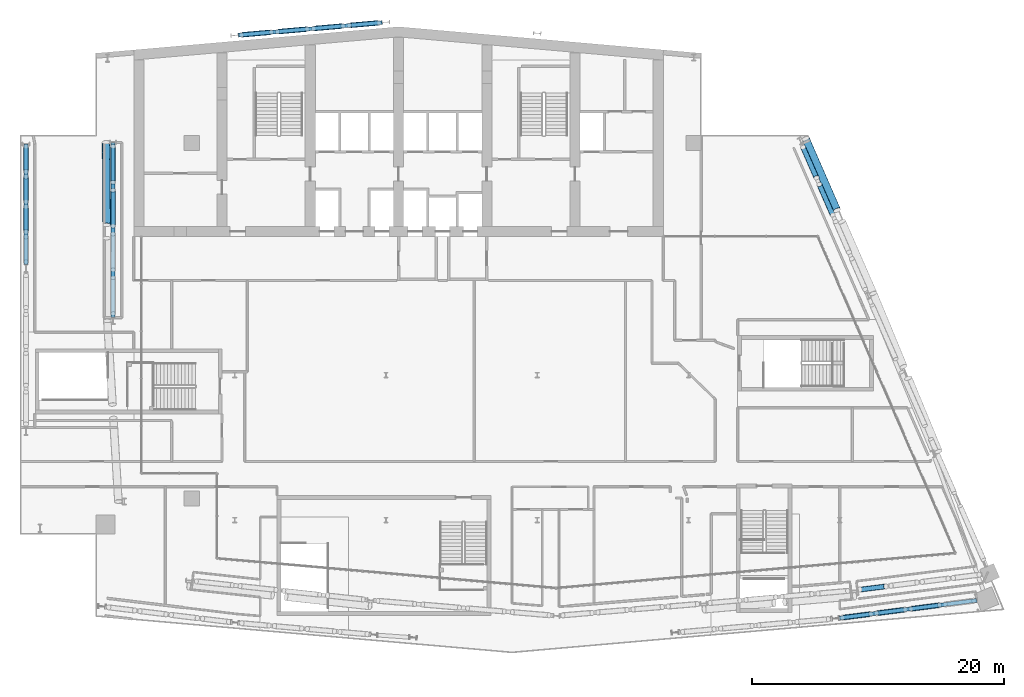
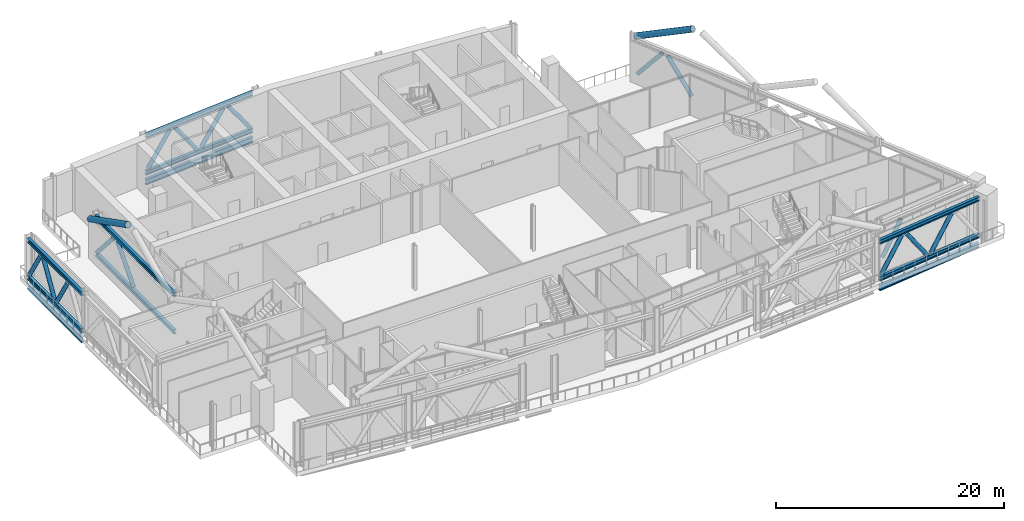
# One storey, part 9 of 35: 25 members, 3 beams.
"""IFC4 building model written with IfcOpenShell, lengths in metres."""

from ifc_helpers import new_model, si_unit, direction, frame, origin, origin_2d, place, context, subcontext, project, spatial, hollow_circle, i_section, extrude, material, material_profile, profile_set, type_object, element, save


model = new_model("IFC4")

# Units and contexts
model_context = context("Model", 3, precision=1e-05, world=origin(), true_north=direction((0.0, 1.0)))
body_context = subcontext(model_context, "Body", "Model", "MODEL_VIEW")
ifc_project = project(units=[si_unit("LENGTHUNIT", "METRE"), si_unit("AREAUNIT", "SQUARE_METRE"), si_unit("VOLUMEUNIT", "CUBIC_METRE"), si_unit("PLANEANGLEUNIT", "RADIAN"), si_unit("MASSUNIT", "GRAM", prefix="KILO")], contexts=[model_context])

# Site, building, storey
site_placement = place(None, origin())
site = spatial("IfcSite", under=ifc_project, at=site_placement, CompositionType="ELEMENT")
building_placement = place(site_placement, origin())
building = spatial("IfcBuilding", under=site, at=building_placement, Name="Wharfspan Tower", CompositionType="ELEMENT")
storey_placement = place(building_placement, frame((0.0, 0.0, 202.300049)))
storey = spatial("IfcBuildingStorey", under=building, at=storey_placement, Name="L50", CompositionType="ELEMENT", Elevation=202.300049)

# Beams
ifc_material_1 = material(Name="Steel S355J2", Category="steel")
ifc_material_profile_1 = material_profile(ifc_material_1, i_section(OverallWidth=0.300049, OverallDepth=0.600098, WebThickness=0.015381, FlangeThickness=0.030029, FilletRadius=0.0271, at=origin_2d()))
ifc_profile_set_1 = profile_set([ifc_material_profile_1], Name="Steel S355J2")
beam_type = type_object("IfcBeamType", Name="Edge beam HEB 600", PredefinedType="SPANDREL", material=ifc_profile_set_1)
beam_1_placement = place(storey_placement, frame((71.965576, 3.724121, -0.75), z_axis=(0.991764, 0.128077, 0.0), x_axis=(-0.128077, 0.991764, 0.0)))
element("IfcBeam", 1, at=beam_1_placement, inside=storey, type_object=beam_type, Name="Edge beam S2 L50 PS2.2 to MC4", PredefinedType="SPANDREL", context=body_context, shape_type="SweptSolid", body=[
    extrude(i_section(OverallWidth=0.300049, OverallDepth=0.600098, WebThickness=0.015381, FlangeThickness=0.030029, FilletRadius=0.0271, at=origin_2d()), origin(), (0.0, 0.0, 1.0), 10.991211),
])
beam_2_placement = place(storey_placement, frame((35.705078, 50.961426, -0.75), z_axis=(-0.996194, -0.087158, 0.0), x_axis=(0.087158, -0.996194, 0.0)))
element("IfcBeam", 2, at=beam_2_placement, inside=storey, type_object=beam_type, Name="Edge beam N1 L50 R.2 to R.1", PredefinedType="SPANDREL", context=body_context, shape_type="SweptSolid", body=[
    extrude(i_section(OverallWidth=0.300049, OverallDepth=0.600098, WebThickness=0.015381, FlangeThickness=0.030029, FilletRadius=0.0271, at=origin_2d()), origin(), (0.0, 0.0, 1.0), 11.453857),
])
beam_3_placement = place(storey_placement, frame((7.450439, 41.32666, -0.75), z_axis=(-5.1e-05, -1.0, 0.0), x_axis=(1.0, -5.1e-05, 0.0)))
element("IfcBeam", 3, at=beam_3_placement, inside=storey, type_object=beam_type, Name="Edge beam W L50 PNRW-H.1 to PW.1", PredefinedType="SPANDREL", context=body_context, shape_type="SweptSolid", body=[
    extrude(i_section(OverallWidth=0.300049, OverallDepth=0.600098, WebThickness=0.015381, FlangeThickness=0.030029, FilletRadius=0.0271, at=origin_2d()), origin(), (0.0, 0.0, 1.0), 9.553955),
])

# Members
ifc_material_2 = material(Name="Steel S460NH", Category="steel")
ifc_material_profile_2 = material_profile(ifc_material_2, hollow_circle(Radius=0.304932, WallThickness=0.024902, at=origin_2d()))
ifc_profile_set_2 = profile_set([ifc_material_profile_2], Name="Steel S460NH")
member_type_1 = type_object("IfcMemberType", Name="Mega brace CHS 610x25", PredefinedType="BRACE", material=ifc_profile_set_2)
member_1_placement = place(storey_placement, frame((13.792969, 41.459717, 4.099854), z_axis=(0.007044, -0.891347, 0.453266), x_axis=(0.999973, 0.007904, 3e-06)))
element("IfcMember", 4, at=member_1_placement, inside=storey, type_object=member_type_1, Name="Mega brace W3 L51 part 1", PredefinedType="BRACE", context=body_context, shape_type="SweptSolid", body=[
    extrude(hollow_circle(Radius=0.304932, WallThickness=0.024902, at=origin_2d()), origin(), (0.0, 0.0, 1.0), 7.347412),
])
member_2_placement = place(storey_placement, frame((69.284424, 41.753662, 4.099854), z_axis=(0.352903, -0.807102, 0.473334), x_axis=(0.916243, 0.400624, -1e-06)))
element("IfcMember", 5, at=member_2_placement, inside=storey, type_object=member_type_1, Name="Mega brace E6 L51 part 3", PredefinedType="BRACE", context=body_context, shape_type="SweptSolid", body=[
    extrude(hollow_circle(Radius=0.304932, WallThickness=0.024902, at=origin_2d()), origin(), (0.0, 0.0, 1.0), 7.04248),
])
ifc_material_profile_3 = material_profile(ifc_material_1, i_section(OverallWidth=0.300049, OverallDepth=0.449951, WebThickness=0.013916, FlangeThickness=0.025879, FilletRadius=0.0271, at=origin_2d()))
ifc_profile_set_3 = profile_set([ifc_material_profile_3], Name="Steel S355J2")
member_type_2 = type_object("IfcMemberType", Name="Truss chord HEB 450", PredefinedType="CHORD", material=ifc_profile_set_3)
for number, where, z_axis, x_axis, name in (
    (6, (35.701172, 50.960938, 4.175049), (-0.996195, -0.087154, 0.0), (0.087154, -0.996195, 0.0), "Belt truss chord T L50 N1 R.2 to R.1"),
    (7, (35.701172, 50.960938, 0.224854), (-0.996195, -0.087154, 0.0), (0.087154, -0.996195, 0.0), "Belt truss chord B L50 N1 R.2 to R.1"),
):
    element("IfcMember", number, at=place(storey_placement, frame(where, z_axis=z_axis, x_axis=x_axis)), inside=storey, type_object=member_type_2, Name=name, PredefinedType="CHORD", context=body_context, shape_type="SweptSolid", body=[
        extrude(i_section(OverallWidth=0.300049, OverallDepth=0.449951, WebThickness=0.013916, FlangeThickness=0.025879, FilletRadius=0.0271, at=origin_2d()), origin(), (0.0, 0.0, 1.0), 11.445801),
    ])
for number, where, z_axis, x_axis, name in (
    (8, (14.356934, 41.449219, 4.175049), (0.000211, -1.0, 0.0), (1.0, 0.000211, 0.0), "Belt truss chord T L50 W PNRW-H.1 to PW.1"),
    (9, (14.356934, 41.449219, 0.224854), (0.000211, -1.0, 0.0), (1.0, 0.000211, 0.0), "Belt truss chord B L50 W PNRW-H.1 to PW.1"),
):
    element("IfcMember", number, at=place(storey_placement, frame(where, z_axis=z_axis, x_axis=x_axis)), inside=storey, type_object=member_type_2, Name=name, PredefinedType="CHORD", context=body_context, shape_type="SweptSolid", body=[
        extrude(i_section(OverallWidth=0.300049, OverallDepth=0.449951, WebThickness=0.013916, FlangeThickness=0.025879, FilletRadius=0.0271, at=origin_2d()), origin(), (0.0, 0.0, 1.0), 13.887207),
    ])
for number, where, z_axis, x_axis, name in (
    (10, (71.969727, 3.724609, 4.175049), (0.991763, 0.128083, 0.0), (-0.128083, 0.991763, 0.0), "Belt truss chord T L50 S2 PS2.2.S to MC4.S"),
    (11, (71.969727, 3.724609, 0.224854), (0.991763, 0.128083, 0.0), (-0.128083, 0.991763, 0.0), "Belt truss chord B L50 S2 PS2.2.S to MC4.S"),
):
    element("IfcMember", number, at=place(storey_placement, frame(where, z_axis=z_axis, x_axis=x_axis)), inside=storey, type_object=member_type_2, Name=name, PredefinedType="CHORD", context=body_context, shape_type="SweptSolid", body=[
        extrude(i_section(OverallWidth=0.300049, OverallDepth=0.449951, WebThickness=0.013916, FlangeThickness=0.025879, FilletRadius=0.0271, at=origin_2d()), origin(), (0.0, 0.0, 1.0), 10.983154),
    ])
for number, where, z_axis, x_axis, name in (
    (12, (7.450439, 41.32251, 4.175049), (-5.1e-05, -1.0, 0.0), (1.0, -5.1e-05, 0.0), "Belt truss chord T L50 W PNRW-H.1.S to PW.1.S"),
    (13, (7.450439, 41.32251, 0.224854), (-5.1e-05, -1.0, 0.0), (1.0, -5.1e-05, 0.0), "Belt truss chord B L50 W PNRW-H.1.S to PW.1.S"),
):
    element("IfcMember", number, at=place(storey_placement, frame(where, z_axis=z_axis, x_axis=x_axis)), inside=storey, type_object=member_type_2, Name=name, PredefinedType="CHORD", context=body_context, shape_type="SweptSolid", body=[
        extrude(i_section(OverallWidth=0.300049, OverallDepth=0.449951, WebThickness=0.013916, FlangeThickness=0.025879, FilletRadius=0.0271, at=origin_2d()), origin(), (0.0, 0.0, 1.0), 9.545898),
    ])
ifc_material_profile_4 = material_profile(ifc_material_2, hollow_circle(Radius=0.203125, WallThickness=0.016113, at=origin_2d()))
ifc_profile_set_4 = profile_set([ifc_material_profile_4], Name="Steel S460NH")
member_type_3 = type_object("IfcMemberType", Name="Truss diagonal CHS 406.4x16", PredefinedType="BRACE", material=ifc_profile_set_4)
member_3_placement = place(storey_placement, frame((73.603516, 5.981689, 0.558105), z_axis=(0.528515, 0.066009, 0.846354), x_axis=(-0.123934, 0.992291, 1e-06)))
element("IfcMember", 14, at=member_3_placement, inside=storey, type_object=member_type_3, Name="Belt truss diagonal L50 S2 PS2.2 to MC4 1", PredefinedType="BRACE", context=body_context, shape_type="SweptSolid", body=[
    extrude(hollow_circle(Radius=0.203125, WallThickness=0.016113, at=origin_2d()), origin(), (0.0, 0.0, 1.0), 3.879883),
])
member_4_placement = place(storey_placement, frame((71.436035, 35.69751, 0.578369), z_axis=(-0.253094, 0.578783, 0.775212), x_axis=(-0.91623, -0.400651, -3e-06)))
element("IfcMember", 15, at=member_4_placement, inside=storey, type_object=member_type_3, Name="Belt truss diagonal L50 E PE.2 to PE.3 3", PredefinedType="BRACE", context=body_context, shape_type="SweptSolid", body=[
    extrude(hollow_circle(Radius=0.203125, WallThickness=0.016113, at=origin_2d()), origin(), (0.0, 0.0, 1.0), 4.183594),
])
member_5_placement = place(storey_placement, frame((70.146484, 38.646729, 3.821533), z_axis=(-0.253085, 0.578822, -0.775186), x_axis=(-0.916245, -0.400619, 1e-06)))
element("IfcMember", 16, at=member_5_placement, inside=storey, type_object=member_type_3, Name="Belt truss diagonal L50 E PE.2 to PE.3 4", PredefinedType="BRACE", context=body_context, shape_type="SweptSolid", body=[
    extrude(hollow_circle(Radius=0.203125, WallThickness=0.016113, at=origin_2d()), origin(), (0.0, 0.0, 1.0), 4.183838),
])
for number, where, z_axis, x_axis, name in (
    (17, (35.452637, 50.939209, 0.569092), (-0.584411, -0.0511, 0.809847), (0.08711, -0.996196, 3e-06), "Belt truss diagonal L50 N1 R.2 to R.1 1"),
    (18, (32.602051, 50.689941, 3.830811), (-0.584409, -0.051161, -0.809844), (0.087207, -0.996192, 2e-06), "Belt truss diagonal L50 N1 R.2 to R.1 2"),
    (19, (29.751709, 50.44043, 0.569092), (-0.584411, -0.0511, 0.809847), (0.08711, -0.996196, 3e-06), "Belt truss diagonal L50 N1 R.2 to R.1 3"),
    (20, (26.901123, 50.191162, 3.830811), (-0.584409, -0.051161, -0.809844), (0.087207, -0.996192, 2e-06), "Belt truss diagonal L50 N1 R.2 to R.1 4"),
):
    element("IfcMember", number, at=place(storey_placement, frame(where, z_axis=z_axis, x_axis=x_axis)), inside=storey, type_object=member_type_3, Name=name, PredefinedType="BRACE", context=body_context, shape_type="SweptSolid", body=[
        extrude(hollow_circle(Radius=0.203125, WallThickness=0.016113, at=origin_2d()), origin(), (0.0, 0.0, 1.0), 4.027588),
    ])
for number, where, z_axis, x_axis, name in (
    (21, (14.357178, 41.133545, 0.583984), (0.000113, -0.660166, 0.75112), (0.999998, 0.00017, -1e-06), "Belt truss diagonal L50 W PNRW-H.1 to PW.1 1"),
    (22, (14.35791, 37.661621, 3.815918), (0.000113, -0.660134, -0.751148), (0.999996, 0.00017, 1e-06), "Belt truss diagonal L50 W PNRW-H.1 to PW.1 2"),
):
    element("IfcMember", number, at=place(storey_placement, frame(where, z_axis=z_axis, x_axis=x_axis)), inside=storey, type_object=member_type_3, Name=name, PredefinedType="BRACE", context=body_context, shape_type="SweptSolid", body=[
        extrude(hollow_circle(Radius=0.203125, WallThickness=0.016113, at=origin_2d()), origin(), (0.0, 0.0, 1.0), 4.302734),
    ])
member_6_placement = place(storey_placement, frame((72.20459, 3.754883, 0.565918), z_axis=(0.5661, 0.073116, 0.821087), x_axis=(-0.128098, 0.991764, 3e-06)))
element("IfcMember", 23, at=member_6_placement, inside=storey, type_object=member_type_3, Name="Belt truss diagonal L50 S2 PS2.2.S to MC4.S 1", PredefinedType="BRACE", context=body_context, shape_type="SweptSolid", body=[
    extrude(hollow_circle(Radius=0.203125, WallThickness=0.016113, at=origin_2d()), origin(), (0.0, 0.0, 1.0), 3.980225),
])
for number, where, z_axis, x_axis, name in (
    (24, (74.927979, 4.106689, 3.833984), (0.566061, 0.073058, -0.82112), (-0.127999, 0.991772, 2e-06), "Belt truss diagonal L50 S2 PS2.2.S to MC4.S 2"),
    (25, (77.651123, 4.458252, 0.565918), (0.566058, 0.073119, 0.821116), (-0.128105, 0.99176, -2e-06), "Belt truss diagonal L50 S2 PS2.2.S to MC4.S 3"),
):
    element("IfcMember", number, at=place(storey_placement, frame(where, z_axis=z_axis, x_axis=x_axis)), inside=storey, type_object=member_type_3, Name=name, PredefinedType="BRACE", context=body_context, shape_type="SweptSolid", body=[
        extrude(hollow_circle(Radius=0.203125, WallThickness=0.016113, at=origin_2d()), origin(), (0.0, 0.0, 1.0), 3.97998),
    ])
for number, where, z_axis, x_axis, name in (
    (26, (7.450439, 41.123047, 0.554932), (0.0, -0.517081, 0.855937), (1.0, 0.0, 0.0), "Belt truss diagonal L50 W PNRW-H.1.S to PW.1.S 1"),
    (27, (7.450439, 38.736572, 3.844971), (-6.4e-05, -0.517081, -0.855937), (0.999998, -0.000127, 2e-06), "Belt truss diagonal L50 W PNRW-H.1.S to PW.1.S 2"),
    (28, (7.450195, 36.350098, 0.554932), (0.0, -0.517081, 0.855937), (1.0, 0.0, 0.0), "Belt truss diagonal L50 W PNRW-H.1.S to PW.1.S 3"),
):
    element("IfcMember", number, at=place(storey_placement, frame(where, z_axis=z_axis, x_axis=x_axis)), inside=storey, type_object=member_type_3, Name=name, PredefinedType="BRACE", context=body_context, shape_type="SweptSolid", body=[
        extrude(hollow_circle(Radius=0.203125, WallThickness=0.016113, at=origin_2d()), origin(), (0.0, 0.0, 1.0), 3.84375),
    ])

save(model, "model.ifc")
